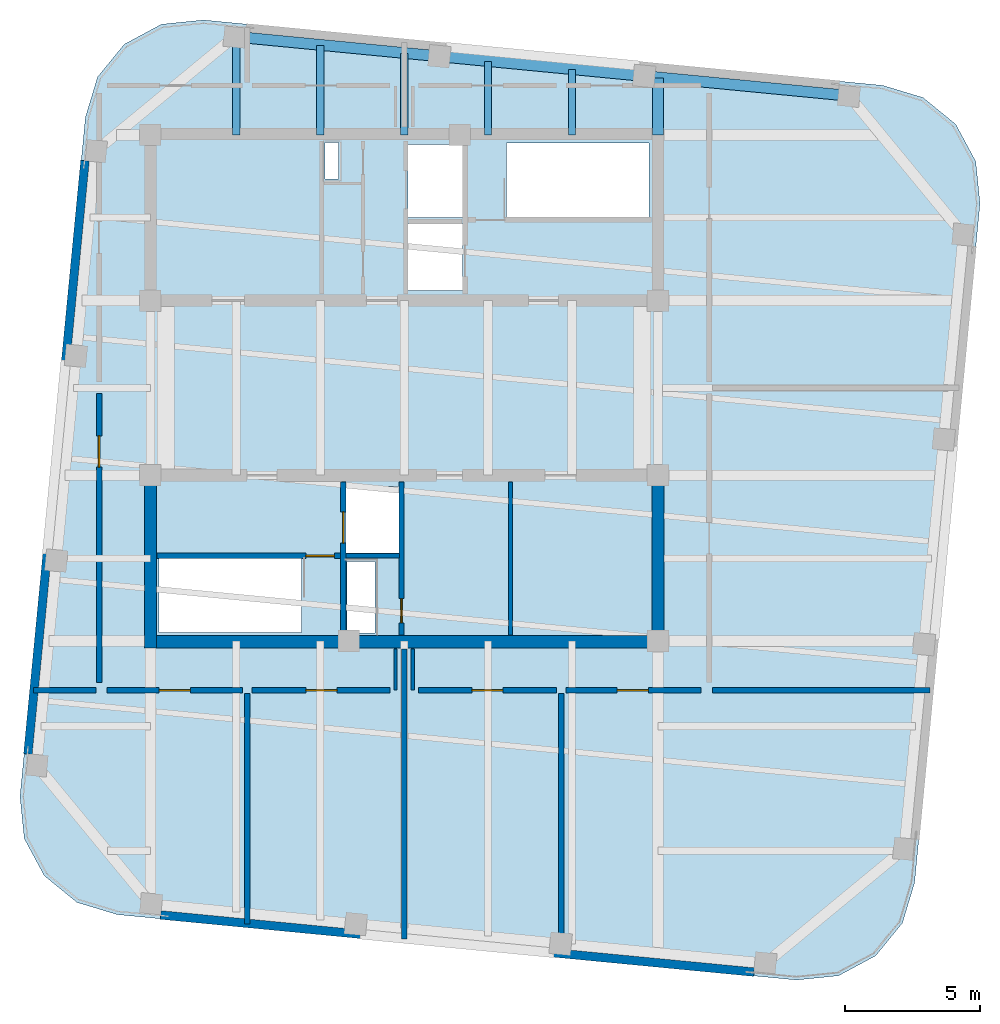
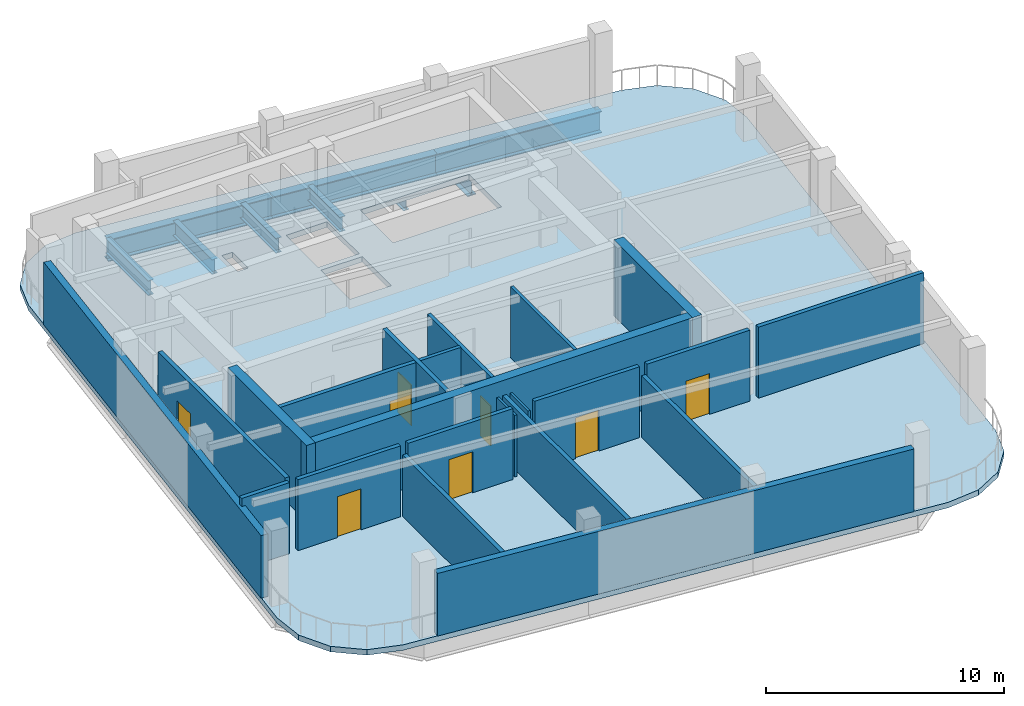
# One storey, part 2 of 5: 22 walls, 9 beams, 8 doors, 1 slab, 8 openings.
"""IFC4 building model written with IfcOpenShell, lengths in metres."""

from ifc_helpers import new_model, si_unit, direction, frame, frame_2d, origin, origin_2d, place, context, subcontext, project, spatial, polyline, rectangle, i_section, outline, extrude, material, layer, layer_set, material_profile, profile_set, type_object, element, fill, save


model = new_model("IFC4")

# Units and contexts
model_context = context("Model", 3, precision=1e-05, world=origin(), true_north=direction((0.0, 1.0)))
body_context = subcontext(model_context, "Body", "Model", "MODEL_VIEW")
ifc_project = project(units=[si_unit("LENGTHUNIT", "METRE"), si_unit("AREAUNIT", "SQUARE_METRE"), si_unit("VOLUMEUNIT", "CUBIC_METRE"), si_unit("PLANEANGLEUNIT", "RADIAN"), si_unit("MASSUNIT", "GRAM", prefix="KILO")], contexts=[model_context])

# Site, building, storey
site_placement = place(None, origin())
site = spatial("IfcSite", under=ifc_project, at=site_placement, CompositionType="ELEMENT")
building_placement = place(site_placement, origin())
building = spatial("IfcBuilding", under=site, at=building_placement, Name="Qhalaya Broadcast Tower", CompositionType="ELEMENT")
storey_placement = place(building_placement, frame((0.0, 0.0, 292.85009765625)))
storey = spatial("IfcBuildingStorey", under=building, at=storey_placement, Name="L86", CompositionType="ELEMENT", Elevation=292.85009765625)

# Beams
ifc_material_1 = material(Name="Structural Steel ASTM A992 Grade 50", Category="steel")
ifc_material_profile_1 = material_profile(ifc_material_1, i_section(OverallWidth=0.26708984375, OverallDepth=0.761962890625, WebThickness=0.014404296875, FlangeThickness=0.021484375, at=origin_2d()), Name="W30X116")
ifc_profile_set_1 = profile_set([ifc_material_profile_1], Name="Structural Steel ASTM A992 Grade 50")
beam_type_1 = type_object("IfcBeamType", Name="Plant & Server Floor Beam B02", PredefinedType="BEAM", material=ifc_profile_set_1)
beam_1_placement = place(storey_placement, frame((-6.199951171875, 9.949951171875, -0.6611328125), z_axis=(0.0, 1.0, 0.0), x_axis=(-1.0, 0.0, 0.0)))
element("IfcBeam", 1, at=beam_1_placement, inside=storey, type_object=beam_type_1, Name="L86 B02 L86-JNN1-1", PredefinedType="BEAM", context=body_context, shape_type="SweptSolid", body=[
    extrude(i_section(OverallWidth=0.26708984375, OverallDepth=0.761962890625, WebThickness=0.014404296875, FlangeThickness=0.021484375, at=origin_2d()), origin(), (0.0, 0.0, 1.0), 3.602294921875),
])
beam_2_placement = place(storey_placement, frame((-3.10009765625, 9.949951171875, -0.6611328125), z_axis=(0.0, 1.0, 0.0), x_axis=(-1.0, 0.0, 0.0)))
element("IfcBeam", 2, at=beam_2_placement, inside=storey, type_object=beam_type_1, Name="L86 B02 L86-JNN2-1", PredefinedType="BEAM", context=body_context, shape_type="SweptSolid", body=[
    extrude(i_section(OverallWidth=0.26708984375, OverallDepth=0.761962890625, WebThickness=0.014404296875, FlangeThickness=0.021484375, at=origin_2d()), origin(), (0.0, 0.0, 1.0), 3.3037109375),
])
beam_3_placement = place(storey_placement, frame((0.0, 9.949951171875, -0.6611328125), z_axis=(0.0, 1.0, 0.0), x_axis=(-1.0, 0.0, 0.0)))
element("IfcBeam", 3, at=beam_3_placement, inside=storey, type_object=beam_type_1, Name="L86 B02 L86-JNN3-1", PredefinedType="BEAM", context=body_context, shape_type="SweptSolid", body=[
    extrude(i_section(OverallWidth=0.26708984375, OverallDepth=0.761962890625, WebThickness=0.014404296875, FlangeThickness=0.021484375, at=origin_2d()), origin(), (0.0, 0.0, 1.0), 3.005126953125),
])
beam_4_placement = place(storey_placement, frame((3.10009765625, 9.949951171875, -0.6611328125), z_axis=(0.0, 1.0, 0.0), x_axis=(-1.0, 0.0, 0.0)))
element("IfcBeam", 4, at=beam_4_placement, inside=storey, type_object=beam_type_1, Name="L86 B02 L86-JNN4-1", PredefinedType="BEAM", context=body_context, shape_type="SweptSolid", body=[
    extrude(i_section(OverallWidth=0.26708984375, OverallDepth=0.761962890625, WebThickness=0.014404296875, FlangeThickness=0.021484375, at=origin_2d()), origin(), (0.0, 0.0, 1.0), 2.706787109375),
])
beam_5_placement = place(storey_placement, frame((6.199951171875, 9.949951171875, -0.6611328125), z_axis=(0.0, 1.0, 0.0), x_axis=(-1.0, 0.0, 0.0)))
element("IfcBeam", 5, at=beam_5_placement, inside=storey, type_object=beam_type_1, Name="L86 B02 L86-JNN5-1", PredefinedType="BEAM", context=body_context, shape_type="SweptSolid", body=[
    extrude(i_section(OverallWidth=0.26708984375, OverallDepth=0.761962890625, WebThickness=0.014404296875, FlangeThickness=0.021484375, at=origin_2d()), origin(), (0.0, 0.0, 1.0), 2.408447265625),
])
ifc_material_profile_2 = material_profile(ifc_material_1, i_section(OverallWidth=0.404052734375, OverallDepth=1.117919921875, WebThickness=0.026123046875, FlangeThickness=0.044921875, at=origin_2d()), Name="W44X335")
ifc_profile_set_2 = profile_set([ifc_material_profile_2], Name="Structural Steel ASTM A992 Grade 50")
beam_type_2 = type_object("IfcBeamType", Name="Podium Long-Span Primary Girder PG1", PredefinedType="USERDEFINED", material=ifc_profile_set_2)
beam_6_placement = place(storey_placement, frame((16.4306640625, 11.393310546875, -0.839111328125), z_axis=(-0.995398370168, 0.09582319483, 0.0), x_axis=(-0.09582319483, -0.995398370168, 0.0)))
element("IfcBeam", 6, at=beam_6_placement, inside=storey, type_object=beam_type_2, Name="L86 PG1 L86-SPR-09", ObjectType="GIRDER", PredefinedType="USERDEFINED", context=body_context, shape_type="SweptSolid", body=[
    extrude(i_section(OverallWidth=0.404052734375, OverallDepth=1.117919921875, WebThickness=0.026123046875, FlangeThickness=0.044921875, at=origin_2d()), origin(), (0.0, 0.0, 1.0), 7.60009765625),
])
for number, where, z_axis, x_axis, name in (
    (7, (8.865478515625, 12.12158203125, -0.839111328125), (-0.995395010529, 0.095858087892, 0.0), (-0.095858087892, -0.995395010529, 0.0), "L86 PG1 L86-SPR-10"),
    (8, (1.300537109375, 12.85009765625, -0.839111328125), (-0.995395010529, 0.095858087892, 0.0), (-0.095858087892, -0.995395010529, 0.0), "L86 PG1 L86-SPR-11"),
):
    element("IfcBeam", number, at=place(storey_placement, frame(where, z_axis=z_axis, x_axis=x_axis)), inside=storey, type_object=beam_type_2, Name=name, ObjectType="GIRDER", PredefinedType="USERDEFINED", context=body_context, shape_type="SweptSolid", body=[
        extrude(i_section(OverallWidth=0.404052734375, OverallDepth=1.117919921875, WebThickness=0.026123046875, FlangeThickness=0.044921875, at=origin_2d()), origin(), (0.0, 0.0, 1.0), 7.599853515625),
    ])
beam_7_placement = place(storey_placement, frame((9.375, 9.949951171875, -0.839111328125), z_axis=(0.0, 1.0, 0.0), x_axis=(-1.0, 0.0, 0.0)))
element("IfcBeam", 9, at=beam_7_placement, inside=storey, type_object=beam_type_2, Name="L86 PG1 L86-PGXN2-1", ObjectType="GIRDER", PredefinedType="USERDEFINED", context=body_context, shape_type="SweptSolid", body=[
    extrude(i_section(OverallWidth=0.404052734375, OverallDepth=1.117919921875, WebThickness=0.026123046875, FlangeThickness=0.044921875, at=origin_2d()), origin(), (0.0, 0.0, 1.0), 2.1025390625),
])

# Slab
ifc_material_2 = material(Name="Concrete C40/50", Category="concrete")
ifc_layer_1 = layer(ifc_material_2, 0.280029296875, Name="Concrete C40/50")
ifc_layer_set_1 = layer_set([ifc_layer_1], Name="Concrete C40/50")
slab_type = type_object("IfcSlabType", Name="Plant & Refuge Heavy Duty Floor Slab 280", PredefinedType="FLOOR", material=ifc_layer_set_1)
slab_placement = place(storey_placement, frame((0.0, 0.0, -0.280029296875)))
element("IfcSlab", 10, at=slab_placement, inside=storey, type_object=slab_type, Name="L86 Main Structural Floor Slab", PredefinedType="FLOOR", context=body_context, shape_type="SweptSolid", body=[
    extrude(outline(polyline([(14.490966796875, -21.271240234375), (16.043701171875, -21.114990234375), (17.418701171875, -20.376220703125), (18.406005859375, -19.16748046875), (18.85595703125, -17.673095703125), (21.271240234375, 7.410888671875), (21.114990234375, 8.9638671875), (20.376220703125, 10.338623046875), (19.16748046875, 11.326171875), (17.673095703125, 11.77587890625), (-7.410888671875, 14.191162109375), (-8.9638671875, 14.034912109375), (-10.338623046875, 13.296142578125), (-11.326171875, 12.08740234375), (-11.77587890625, 10.593017578125), (-14.191162109375, -14.490966796875), (-14.034912109375, -16.043701171875), (-13.296142578125, -17.418701171875), (-12.08740234375, -18.406005859375), (-10.593017578125, -18.85595703125), (14.490966796875, -21.271240234375)]), holes=[polyline([(3.784912109375, 9.639892578125), (9.050048828125, 9.639892578125), (9.050048828125, 6.8798828125), (3.784912109375, 6.8798828125), (3.784912109375, 9.639892578125)]), polyline([(-3.784912109375, -8.43994140625), (-9.050048828125, -8.43994140625), (-9.050048828125, -5.679931640625), (-3.784912109375, -5.679931640625), (-3.784912109375, -8.43994140625)]), polyline([(0.14990234375, 6.64990234375), (2.14990234375, 6.64990234375), (2.14990234375, 4.199951171875), (0.14990234375, 4.199951171875), (0.14990234375, 6.64990234375)]), polyline([(0.14990234375, 9.60009765625), (2.14990234375, 9.60009765625), (2.14990234375, 6.89990234375), (0.14990234375, 6.89990234375), (0.14990234375, 9.60009765625)]), polyline([(-2.14990234375, -3.050048828125), (-0.14990234375, -3.050048828125), (-0.14990234375, -5.5), (-2.14990234375, -5.5), (-2.14990234375, -3.050048828125)]), polyline([(-2.919921875, 9.659912109375), (-2.419921875, 9.659912109375), (-2.419921875, 8.320068359375), (-2.919921875, 8.320068359375), (-2.919921875, 9.659912109375)]), polyline([(-2.1201171875, -5.820068359375), (-1.080078125, -5.820068359375), (-1.080078125, -8.4599609375), (-2.1201171875, -8.4599609375), (-2.1201171875, -5.820068359375)])]), origin(), (0.0, 0.0, 1.0), 0.280029296875),
])

# Walls
ifc_material_3 = material(Name="Gypsum Acoustic Partition")
ifc_layer_2 = layer(ifc_material_3, 0.14990234375, Name="Gypsum Acoustic Partition")
ifc_layer_set_2 = layer_set([ifc_layer_2], Name="Gypsum Acoustic Partition")
wall_type_1 = type_object("IfcWallType", Name="Corridor & Tenancy Acoustic Partition 150", PredefinedType="PARTITIONING", material=ifc_layer_set_2)
wall_1_placement = place(storey_placement, frame((3.919921875, -8.530029296875, 0.0), z_axis=(0.0, 0.0, 1.0), x_axis=(0.0, 1.0, 0.0)))
element("IfcWall", 11, at=wall_1_placement, inside=storey, type_object=wall_type_1, Name="L86 Partition Wall SCW-HSEP", PredefinedType="PARTITIONING", context=body_context, shape_type="SweptSolid", body=[
    extrude(rectangle(XDim=5.659912109375, YDim=0.14990234375, at=frame_2d((2.830078125, 0.0))), origin(), (0.0, 0.0, 1.0), 3.639892578125),
])
ifc_layer_3 = layer(ifc_material_3, 0.199951171875, Name="Gypsum Acoustic Partition")
ifc_layer_set_3 = layer_set([ifc_layer_3], Name="Gypsum Acoustic Partition")
wall_type_2 = type_object("IfcWallType", Name="Firefighting Lobby & Stair Enclosure Wall 200", PredefinedType="PARTITIONING", material=ifc_layer_set_3)
wall_2_placement = place(storey_placement, frame((0.0, -19.75537109375, 0.0), z_axis=(0.0, 0.0, 1.0), x_axis=(0.0, 1.0, 0.0)))
element("IfcWall", 12, at=wall_2_placement, inside=storey, type_object=wall_type_2, Name="L86 Partition Wall W-OBS", PredefinedType="PARTITIONING", context=body_context, shape_type="SweptSolid", body=[
    extrude(rectangle(XDim=10.71533203125, YDim=0.199951171875, at=frame_2d((5.357666015625, 0.0))), origin(), (0.0, 0.0, 1.0), 3.160888671875),
])

# Wall, opening, door
wall_3_placement = place(storey_placement, frame((-10.969970703125, -10.570068359375, 0.0), z_axis=(0.0, 0.0, 1.0), x_axis=(1.0, 0.0, 0.0)))
wall_3 = element("IfcWall", 13, at=wall_3_placement, inside=storey, type_object=wall_type_2, Name="L86 Partition Wall W-PCS0", PredefinedType="PARTITIONING", context=body_context, shape_type="SweptSolid", body=[
    extrude(rectangle(XDim=4.989990234375, YDim=0.199951171875, at=frame_2d((2.4951171875, 0.0))), origin(), (0.0, 0.0, 1.0), 3.639892578125),
])
opening_1_placement = place(wall_3_placement, frame((1.919921875, 0.0, 0.0)))
opening_1 = element("IfcOpeningElement", 14, at=opening_1_placement, cuts=wall_3, Name="Opening D05", PredefinedType="OPENING", context=body_context, shape_type="SweptSolid", body=[
    extrude(rectangle(XDim=1.14990234375, YDim=2.10009765625, at=frame_2d((0.574951171875, 1.050048828125))), frame((0.0, 0.112060546875, 0.0), z_axis=(0.0, -1.0, 0.0), x_axis=(1.0, 0.0, 0.0)), (0.0, 0.0, 1.0), 0.223876953125),
])
ifc_material_4 = material(Name="Fire-Rated Steel Door", Category="steel")
door_type_1 = type_object("IfcDoorType", Name="Refuge & Plant Room Fire Door D05", OperationType="NOTDEFINED", PredefinedType="DOOR", material=ifc_material_4)
door_1_placement = place(opening_1_placement, origin())
door_1 = element("IfcDoor", 15, at=door_1_placement, inside=storey, type_object=door_type_1, Name="L86 Door D-PCS0", OperationType="SINGLE_SWING_RIGHT", OverallHeight=2.10009765625, OverallWidth=1.14990234375, PredefinedType="DOOR", context=body_context, shape_type="SweptSolid", body=[
    extrude(rectangle(XDim=1.14990234375, YDim=2.10009765625, at=frame_2d((0.574951171875, 1.050048828125))), frame((0.0, 0.02490234375, 0.0), z_axis=(0.0, -1.0, 0.0), x_axis=(1.0, 0.0, 0.0)), (0.0, 0.0, 1.0), 0.050048828125),
])
fill(opening_1, door_1)

# Wall
wall_4_placement = place(storey_placement, frame((-5.800048828125, -19.197021484375, 0.0), z_axis=(0.0, 0.0, 1.0), x_axis=(0.0, 1.0, 0.0)))
element("IfcWall", 16, at=wall_4_placement, inside=storey, type_object=wall_type_2, Name="L86 Partition Wall W-PDS1", PredefinedType="PARTITIONING", context=body_context, shape_type="SweptSolid", body=[
    extrude(rectangle(XDim=8.507080078125, YDim=0.199951171875, at=frame_2d((4.25341796875, 0.0))), origin(), (0.0, 0.0, 1.0), 3.160888671875),
])

# Wall, opening, door
wall_5_placement = place(storey_placement, frame((-5.6201171875, -10.570068359375, 0.0), z_axis=(0.0, 0.0, 1.0), x_axis=(1.0, 0.0, 0.0)))
wall_5 = element("IfcWall", 17, at=wall_5_placement, inside=storey, type_object=wall_type_2, Name="L86 Partition Wall W-PCS1", PredefinedType="PARTITIONING", context=body_context, shape_type="SweptSolid", body=[
    extrude(rectangle(XDim=5.090087890625, YDim=0.199951171875, at=frame_2d((2.544921875, 0.0))), origin(), (0.0, 0.0, 1.0), 3.639892578125),
])
opening_2_placement = place(wall_5_placement, frame((1.989990234375, 0.0, 0.0)))
opening_2 = element("IfcOpeningElement", 18, at=opening_2_placement, cuts=wall_5, Name="Opening D05", PredefinedType="OPENING", context=body_context, shape_type="SweptSolid", body=[
    extrude(rectangle(XDim=1.14990234375, YDim=2.10009765625, at=frame_2d((0.574951171875, 1.050048828125))), frame((0.0, 0.112060546875, 0.0), z_axis=(0.0, -1.0, 0.0), x_axis=(1.0, 0.0, 0.0)), (0.0, 0.0, 1.0), 0.223876953125),
])
door_2_placement = place(opening_2_placement, origin())
door_2 = element("IfcDoor", 19, at=door_2_placement, inside=storey, type_object=door_type_1, Name="L86 Door D-PCS1", OperationType="SINGLE_SWING_RIGHT", OverallHeight=2.10009765625, OverallWidth=1.14990234375, PredefinedType="DOOR", context=body_context, shape_type="SweptSolid", body=[
    extrude(rectangle(XDim=1.14990234375, YDim=2.10009765625, at=frame_2d((0.574951171875, 1.050048828125))), frame((0.0, 0.02490234375, 0.0), z_axis=(0.0, -1.0, 0.0), x_axis=(1.0, 0.0, 0.0)), (0.0, 0.0, 1.0), 0.050048828125),
])
fill(opening_2, door_2)

wall_6_placement = place(storey_placement, frame((0.530029296875, -10.570068359375, 0.0), z_axis=(0.0, 0.0, 1.0), x_axis=(1.0, 0.0, 0.0)))
wall_6 = element("IfcWall", 20, at=wall_6_placement, inside=storey, type_object=wall_type_2, Name="L86 Partition Wall W-PCS2", PredefinedType="PARTITIONING", context=body_context, shape_type="SweptSolid", body=[
    extrude(rectangle(XDim=5.090087890625, YDim=0.199951171875, at=frame_2d((2.544921875, 0.0))), origin(), (0.0, 0.0, 1.0), 3.639892578125),
])
opening_3_placement = place(wall_6_placement, frame((1.969970703125, 0.0, 0.0)))
opening_3 = element("IfcOpeningElement", 21, at=opening_3_placement, cuts=wall_6, Name="Opening D05", PredefinedType="OPENING", context=body_context, shape_type="SweptSolid", body=[
    extrude(rectangle(XDim=1.14990234375, YDim=2.10009765625, at=frame_2d((0.574951171875, 1.050048828125))), frame((0.0, 0.112060546875, 0.0), z_axis=(0.0, -1.0, 0.0), x_axis=(1.0, 0.0, 0.0)), (0.0, 0.0, 1.0), 0.223876953125),
])
door_3_placement = place(opening_3_placement, origin())
door_3 = element("IfcDoor", 22, at=door_3_placement, inside=storey, type_object=door_type_1, Name="L86 Door D-PCS2", OperationType="SINGLE_SWING_RIGHT", OverallHeight=2.10009765625, OverallWidth=1.14990234375, PredefinedType="DOOR", context=body_context, shape_type="SweptSolid", body=[
    extrude(rectangle(XDim=1.14990234375, YDim=2.10009765625, at=frame_2d((0.574951171875, 1.050048828125))), frame((0.0, 0.02490234375, 0.0), z_axis=(0.0, -1.0, 0.0), x_axis=(1.0, 0.0, 0.0)), (0.0, 0.0, 1.0), 0.050048828125),
])
fill(opening_3, door_3)

# Wall
wall_7_placement = place(storey_placement, frame((5.800048828125, -20.313720703125, 0.0), z_axis=(0.0, 0.0, 1.0), x_axis=(0.0, 1.0, 0.0)))
element("IfcWall", 23, at=wall_7_placement, inside=storey, type_object=wall_type_2, Name="L86 Partition Wall W-PDS3", PredefinedType="PARTITIONING", context=body_context, shape_type="SweptSolid", body=[
    extrude(rectangle(XDim=9.623779296875, YDim=0.199951171875, at=frame_2d((4.81201171875, 0.0))), origin(), (0.0, 0.0, 1.0), 3.160888671875),
])

# Wall, opening, door
wall_8_placement = place(storey_placement, frame((5.97998046875, -10.570068359375, 0.0), z_axis=(0.0, 0.0, 1.0), x_axis=(1.0, 0.0, 0.0)))
wall_8 = element("IfcWall", 24, at=wall_8_placement, inside=storey, type_object=wall_type_2, Name="L86 Partition Wall W-PCS3", PredefinedType="PARTITIONING", context=body_context, shape_type="SweptSolid", body=[
    extrude(rectangle(XDim=4.989990234375, YDim=0.199951171875, at=frame_2d((2.4951171875, 0.0))), origin(), (0.0, 0.0, 1.0), 3.639892578125),
])
opening_4_placement = place(wall_8_placement, frame((1.889892578125, 0.0, 0.0)))
opening_4 = element("IfcOpeningElement", 25, at=opening_4_placement, cuts=wall_8, Name="Opening D05", PredefinedType="OPENING", context=body_context, shape_type="SweptSolid", body=[
    extrude(rectangle(XDim=1.14990234375, YDim=2.10009765625, at=frame_2d((0.574951171875, 1.050048828125))), frame((0.0, 0.112060546875, 0.0), z_axis=(0.0, -1.0, 0.0), x_axis=(1.0, 0.0, 0.0)), (0.0, 0.0, 1.0), 0.223876953125),
])
door_4_placement = place(opening_4_placement, origin())
door_4 = element("IfcDoor", 26, at=door_4_placement, inside=storey, type_object=door_type_1, Name="L86 Door D-PCS3", OperationType="SINGLE_SWING_RIGHT", OverallHeight=2.10009765625, OverallWidth=1.14990234375, PredefinedType="DOOR", context=body_context, shape_type="SweptSolid", body=[
    extrude(rectangle(XDim=1.14990234375, YDim=2.10009765625, at=frame_2d((0.574951171875, 1.050048828125))), frame((0.0, 0.02490234375, 0.0), z_axis=(0.0, -1.0, 0.0), x_axis=(1.0, 0.0, 0.0)), (0.0, 0.0, 1.0), 0.050048828125),
])
fill(opening_4, door_4)

# Walls
wall_9_placement = place(storey_placement, frame((-13.693115234375, -10.570068359375, 0.0), z_axis=(0.0, 0.0, 1.0), x_axis=(1.0, 0.0, 0.0)))
element("IfcWall", 27, at=wall_9_placement, inside=storey, type_object=wall_type_2, Name="L86 Partition Wall W-PBSW", PredefinedType="PARTITIONING", context=body_context, shape_type="SweptSolid", body=[
    extrude(rectangle(XDim=2.30322265625, YDim=0.199951171875, at=frame_2d((1.151611328125, 0.0))), origin(), (0.0, 0.0, 1.0), 3.639892578125),
])
wall_10_placement = place(storey_placement, frame((11.389892578125, -10.570068359375, 0.0), z_axis=(0.0, 0.0, 1.0), x_axis=(1.0, 0.0, 0.0)))
element("IfcWall", 28, at=wall_10_placement, inside=storey, type_object=wall_type_2, Name="L86 Partition Wall W-PBSE", PredefinedType="PARTITIONING", context=body_context, shape_type="SweptSolid", body=[
    extrude(rectangle(XDim=8.029296875, YDim=0.199951171875, at=frame_2d((4.0146484375, 0.0))), origin(), (0.0, 0.0, 1.0), 3.639892578125),
])

# Wall, opening, door
wall_11_placement = place(storey_placement, frame((-11.27001953125, 0.389892578125, 0.0), z_axis=(0.0, 0.0, 1.0), x_axis=(0.0, -1.0, 0.0)))
wall_11 = element("IfcWall", 29, at=wall_11_placement, inside=storey, type_object=wall_type_2, Name="L86 Partition Wall W-PCW1", PredefinedType="PARTITIONING", context=body_context, shape_type="SweptSolid", body=[
    extrude(rectangle(XDim=10.679931640625, YDim=0.199951171875, at=frame_2d((5.33984375, 0.0))), origin(), (0.0, 0.0, 1.0), 3.639892578125),
])
opening_5_placement = place(wall_11_placement, frame((1.56103515625, 0.0, 0.0)))
opening_5 = element("IfcOpeningElement", 30, at=opening_5_placement, cuts=wall_11, Name="Opening D05", PredefinedType="OPENING", context=body_context, shape_type="SweptSolid", body=[
    extrude(rectangle(XDim=1.14990234375, YDim=2.10009765625, at=frame_2d((0.574951171875, 1.050048828125))), frame((0.0, 0.112060546875, 0.0), z_axis=(0.0, -1.0, 0.0), x_axis=(1.0, 0.0, 0.0)), (0.0, 0.0, 1.0), 0.223876953125),
])
door_5_placement = place(opening_5_placement, origin())
door_5 = element("IfcDoor", 31, at=door_5_placement, inside=storey, type_object=door_type_1, Name="L86 Door D-PCW1", OperationType="SINGLE_SWING_LEFT", OverallHeight=2.10009765625, OverallWidth=1.14990234375, PredefinedType="DOOR", context=body_context, shape_type="SweptSolid", body=[
    extrude(rectangle(XDim=1.14990234375, YDim=2.10009765625, at=frame_2d((0.574951171875, 1.050048828125))), frame((0.0, 0.02490234375, 0.0), z_axis=(0.0, -1.0, 0.0), x_axis=(1.0, 0.0, 0.0)), (0.0, 0.0, 1.0), 0.050048828125),
])
fill(opening_5, door_5)

ifc_material_5 = material(Name="Concrete C50/60", Category="concrete")
ifc_layer_4 = layer(ifc_material_5, 0.199951171875, Name="Concrete C50/60")
ifc_layer_set_4 = layer_set([ifc_layer_4], Name="Concrete C50/60")
wall_type_3 = type_object("IfcWallType", Name="Load-Bearing Stair Shaft Wall 200", PredefinedType="SHEAR", material=ifc_layer_set_4)
wall_12_placement = place(storey_placement, frame((-9.1298828125, -5.60498046875, 0.0), z_axis=(0.0, 0.0, 1.0), x_axis=(1.0, 0.0, 0.0)))
wall_12 = element("IfcWall", 32, at=wall_12_placement, inside=storey, type_object=wall_type_3, Name="L86 Stair Core Shear Wall SCW-ST2", PredefinedType="SHEAR", context=body_context, shape_type="SweptSolid", body=[
    extrude(rectangle(XDim=6.769775390625, YDim=0.199951171875, at=frame_2d((3.384765625, 0.0))), origin(), (0.0, 0.0, 1.0), 3.639892578125),
])
opening_6_placement = place(wall_12_placement, frame((5.5, 0.0, 0.0)))
opening_6 = element("IfcOpeningElement", 33, at=opening_6_placement, cuts=wall_12, Name="Opening D03", PredefinedType="OPENING", context=body_context, shape_type="SweptSolid", body=[
    extrude(rectangle(XDim=1.050048828125, YDim=2.080078125, at=frame_2d((0.52490234375, 1.0400390625))), frame((0.0, 0.112060546875, 0.0), z_axis=(0.0, -1.0, 0.0), x_axis=(1.0, 0.0, 0.0)), (0.0, 0.0, 1.0), 0.223876953125),
])
door_type_2 = type_object("IfcDoorType", Name="Core Stair Protected Fire Door D03", OperationType="NOTDEFINED", PredefinedType="DOOR", material=ifc_material_4)
door_6_placement = place(opening_6_placement, origin())
door_6 = element("IfcDoor", 34, at=door_6_placement, inside=storey, type_object=door_type_2, Name="L86 Door D-SST2", OperationType="SINGLE_SWING_RIGHT", OverallHeight=2.080078125, OverallWidth=1.050048828125, PredefinedType="DOOR", context=body_context, shape_type="SweptSolid", body=[
    extrude(rectangle(XDim=1.050048828125, YDim=2.080078125, at=frame_2d((0.52490234375, 1.0400390625))), frame((0.0, 0.02490234375, 0.0), z_axis=(0.0, -1.0, 0.0), x_axis=(1.0, 0.0, 0.0)), (0.0, 0.0, 1.0), 0.050048828125),
])
fill(opening_6, door_6)

wall_13_placement = place(storey_placement, frame((-2.25, -8.530029296875, 0.0), z_axis=(0.0, 0.0, 1.0), x_axis=(0.0, 1.0, 0.0)))
wall_13 = element("IfcWall", 35, at=wall_13_placement, inside=storey, type_object=wall_type_3, Name="L86 Stair Core Shear Wall SCW-FF", PredefinedType="SHEAR", context=body_context, shape_type="SweptSolid", body=[
    extrude(rectangle(XDim=5.659912109375, YDim=0.199951171875, at=frame_2d((2.830078125, 0.0))), origin(), (0.0, 0.0, 1.0), 3.639892578125),
])
opening_7_placement = place(wall_13_placement, frame((3.39990234375, 0.0, 0.0)))
opening_7 = element("IfcOpeningElement", 36, at=opening_7_placement, cuts=wall_13, Name="Opening LD2", PredefinedType="OPENING", context=body_context, shape_type="SweptSolid", body=[
    extrude(rectangle(XDim=1.14990234375, YDim=2.080078125, at=frame_2d((0.574951171875, 1.0400390625))), frame((0.0, 0.112060546875, 0.0), z_axis=(0.0, -1.0, 0.0), x_axis=(1.0, 0.0, 0.0)), (0.0, 0.0, 1.0), 0.223876953125),
])
ifc_material_6 = material(Name="Brushed Stainless Steel Lift Door", Category="steel")
door_type_3 = type_object("IfcDoorType", Name="Firefighting Lift Sliding Landing Door LD2", OperationType="DOUBLE_DOOR_SLIDING", PredefinedType="DOOR", material=ifc_material_6)
door_7_placement = place(opening_7_placement, origin())
door_7 = element("IfcDoor", 37, at=door_7_placement, inside=storey, type_object=door_type_3, Name="L86 Door LD-FF2", OperationType="DOUBLE_DOOR_SLIDING", OverallHeight=2.080078125, OverallWidth=1.14990234375, PredefinedType="DOOR", context=body_context, shape_type="SweptSolid", body=[
    extrude(rectangle(XDim=1.14990234375, YDim=2.080078125, at=frame_2d((0.574951171875, 1.0400390625))), frame((0.0, 0.02490234375, 0.0), z_axis=(0.0, -1.0, 0.0), x_axis=(1.0, 0.0, 0.0)), (0.0, 0.0, 1.0), 0.050048828125),
])
fill(opening_7, door_7)

# Walls
ifc_layer_5 = layer(ifc_material_3, 0.1201171875, Name="Gypsum Acoustic Partition")
ifc_layer_set_5 = layer_set([ifc_layer_5], Name="Gypsum Acoustic Partition")
wall_type_4 = type_object("IfcWallType", Name="Office, Booth & Sanitary Partition 120", PredefinedType="PARTITIONING", material=ifc_layer_set_5)
for number, where, z_axis, x_axis, name in (
    (38, (-0.320068359375, -10.550048828125, 0.0), (0.0, 0.0, 1.0), (0.0, 1.0, 0.0), "L86 Partition Wall W-OBSCW"),
    (39, (0.320068359375, -10.550048828125, 0.0), (0.0, 0.0, 1.0), (0.0, 1.0, 0.0), "L86 Partition Wall W-OBSCE"),
):
    element("IfcWall", number, at=place(storey_placement, frame(where, z_axis=z_axis, x_axis=x_axis)), inside=storey, type_object=wall_type_4, Name=name, PredefinedType="PARTITIONING", context=body_context, shape_type="SweptSolid", body=[
        extrude(rectangle(XDim=1.510009765625, YDim=0.1201171875, at=frame_2d((0.7548828125, 0.0))), origin(), (0.0, 0.0, 1.0), 3.160888671875),
    ])
ifc_material_7 = material(Name="Precast Concrete C40/50", Category="concrete")
ifc_layer_6 = layer(ifc_material_7, 0.320068359375, Name="Precast Concrete C40/50")
ifc_layer_set_6 = layer_set([ifc_layer_6], Name="Precast Concrete C40/50")
wall_type_5 = type_object("IfcWallType", Name="Recessed Neck Insulated Exterior Wall 320", PredefinedType="SOLIDWALL", material=ifc_layer_set_6)
for number, where, z_axis, x_axis, name in (
    (40, (12.923583984375, -20.979736328125, 0.0), (0.0, 0.0, 1.0), (-0.995396387456, 0.095843788738, 0.0), "L86 Exterior Facade Wall S"),
    (41, (-13.899658203125, -12.923583984375, 0.0), (0.0, 0.0, 1.0), (0.095843788738, 0.995396387456, 0.0), "L86 Exterior Facade Wall W"),
):
    element("IfcWall", number, at=place(storey_placement, frame(where, z_axis=z_axis, x_axis=x_axis)), inside=storey, type_object=wall_type_5, Name=name, PredefinedType="SOLIDWALL", context=body_context, shape_type="SweptSolid", body=[
        extrude(rectangle(XDim=22.023681640625, YDim=0.320068359375, at=frame_2d((11.01171875, 0.0))), origin(), (0.0, 0.0, 1.0), 3.2138671875),
    ])

# Wall, opening, door
ifc_layer_7 = layer(ifc_material_3, 0.175048828125, Name="Gypsum Acoustic Partition")
ifc_layer_set_7 = layer_set([ifc_layer_7], Name="Gypsum Acoustic Partition")
wall_type_6 = type_object("IfcWallType", Name="Shaft & Riser Fire Partition 175", PredefinedType="PARTITIONING", material=ifc_layer_set_7)
wall_14_placement = place(storey_placement, frame((-0.10009765625, -8.530029296875, 0.0), z_axis=(0.0, 0.0, 1.0), x_axis=(0.0, 1.0, 0.0)))
wall_14 = element("IfcWall", 42, at=wall_14_placement, inside=storey, type_object=wall_type_6, Name="L86 Partition Wall SCW-FFE", PredefinedType="PARTITIONING", context=body_context, shape_type="SweptSolid", body=[
    extrude(rectangle(XDim=5.659912109375, YDim=0.175048828125, at=frame_2d((2.830078125, 0.0))), origin(), (0.0, 0.0, 1.0), 3.639892578125),
])
opening_8_placement = place(wall_14_placement, frame((0.449951171875, 0.0, 0.0)))
opening_8 = element("IfcOpeningElement", 43, at=opening_8_placement, cuts=wall_14, Name="Opening D06", PredefinedType="OPENING", context=body_context, shape_type="SweptSolid", body=[
    extrude(rectangle(XDim=0.89990234375, YDim=2.050048828125, at=frame_2d((0.449951171875, 1.02490234375))), frame((0.0, 0.099609375, 0.0), z_axis=(0.0, -1.0, 0.0), x_axis=(1.0, 0.0, 0.0)), (0.0, 0.0, 1.0), 0.198974609375),
])
door_type_4 = type_object("IfcDoorType", Name="Riser & Electrical Shaft Access Door D06", OperationType="NOTDEFINED", PredefinedType="DOOR", material=ifc_material_4)
door_8_placement = place(opening_8_placement, origin())
door_8 = element("IfcDoor", 44, at=door_8_placement, inside=storey, type_object=door_type_4, Name="L86 Riser Shaft Access Door D-SRSR", OperationType="SINGLE_SWING_LEFT", OverallHeight=2.050048828125, OverallWidth=0.89990234375, PredefinedType="DOOR", context=body_context, shape_type="SweptSolid", body=[
    extrude(rectangle(XDim=0.89990234375, YDim=2.050048828125, at=frame_2d((0.449951171875, 1.02490234375))), frame((0.0, 0.02490234375, 0.0), z_axis=(0.0, -1.0, 0.0), x_axis=(1.0, 0.0, 0.0)), (0.0, 0.0, 1.0), 0.050048828125),
])
fill(opening_8, door_8)

# Walls
wall_15_placement = place(storey_placement, frame((-2.14990234375, -5.60009765625, 0.0), z_axis=(0.0, 0.0, 1.0), x_axis=(1.0, 0.0, 0.0)))
element("IfcWall", 45, at=wall_15_placement, inside=storey, type_object=wall_type_6, Name="L86 Partition Wall SCW-FFM", PredefinedType="PARTITIONING", context=body_context, shape_type="SweptSolid", body=[
    extrude(rectangle(XDim=1.969970703125, YDim=0.175048828125, at=frame_2d((0.98486328125, 0.0))), origin(), (0.0, 0.0, 1.0), 3.639892578125),
])
ifc_layer_8 = layer(ifc_material_5, 0.449951171875, Name="Concrete C50/60")
ifc_layer_set_8 = layer_set([ifc_layer_8], Name="Concrete C50/60")
wall_type_7 = type_object("IfcWallType", Name="Upper Split-Core Shear Wall 450", PredefinedType="SHEAR", material=ifc_layer_set_8)
wall_16_placement = place(storey_placement, frame((-9.60009765625, -8.77490234375, 0.0), z_axis=(0.0, 0.0, 1.0), x_axis=(1.0, 0.0, 0.0)))
element("IfcWall", 46, at=wall_16_placement, inside=storey, type_object=wall_type_7, Name="L86 Split-Core Shear Wall CW-SS", PredefinedType="SHEAR", context=body_context, shape_type="SweptSolid", body=[
    extrude(rectangle(XDim=19.2001953125, YDim=0.449951171875, at=frame_2d((9.60009765625, 0.0))), origin(), (0.0, 0.0, 1.0), 3.89990234375),
])
for number, where, z_axis, x_axis, name in (
    (47, (-9.375, -9.0, 0.0), (0.0, 0.0, 1.0), (0.0, 1.0, 0.0), "L86 Split-Core Shear Wall CW-SW"),
    (48, (9.375, -9.0, 0.0), (0.0, 0.0, 1.0), (0.0, 1.0, 0.0), "L86 Split-Core Shear Wall CW-SE"),
):
    element("IfcWall", number, at=place(storey_placement, frame(where, z_axis=z_axis, x_axis=x_axis)), inside=storey, type_object=wall_type_7, Name=name, PredefinedType="SHEAR", context=body_context, shape_type="SweptSolid", body=[
        extrude(rectangle(XDim=6.60009765625, YDim=0.449951171875, at=frame_2d((3.300048828125, 0.0))), origin(), (0.0, 0.0, 1.0), 3.89990234375),
    ])

save(model, "model.ifc")
